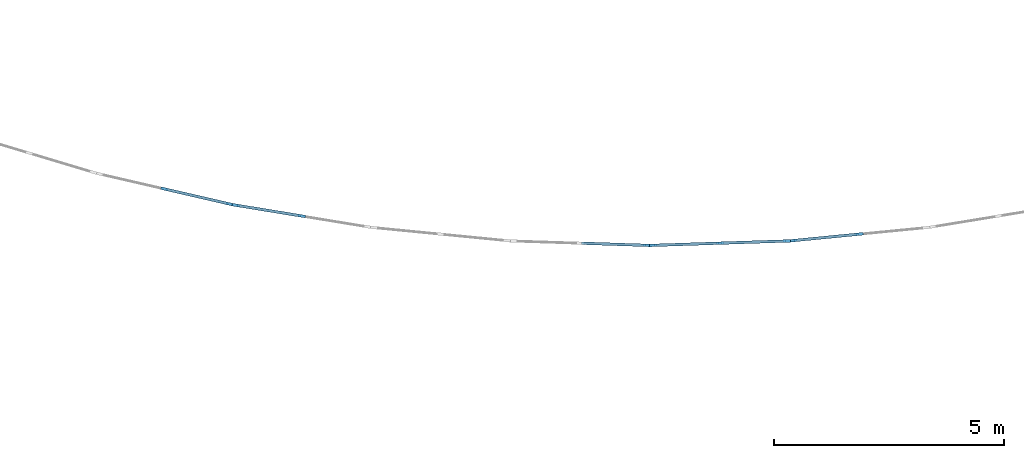
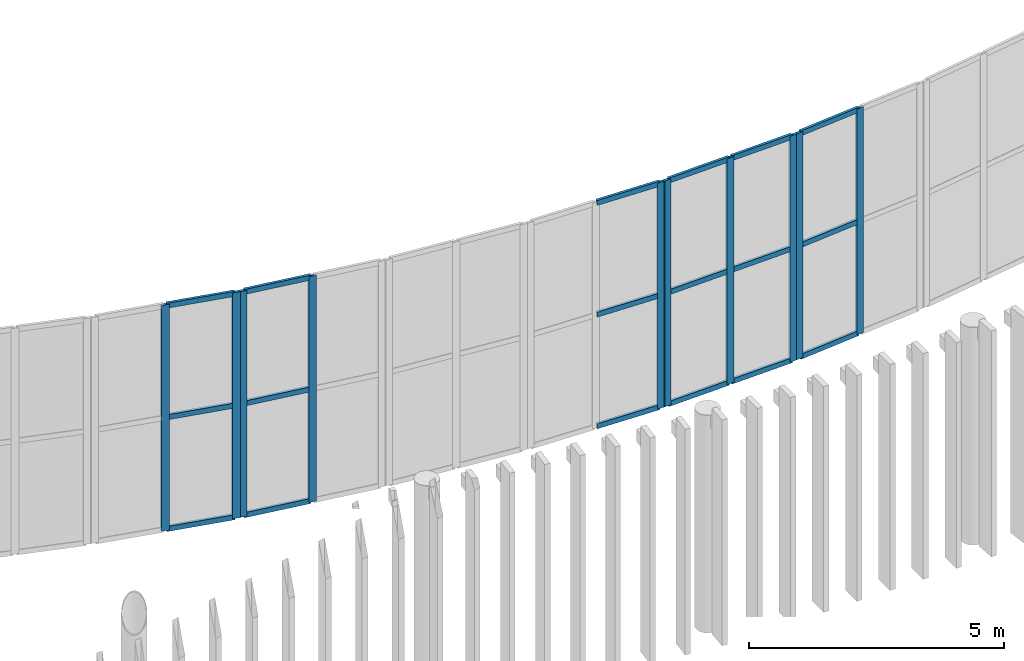
# One storey, part 36 of 170: 28 members, 5 elements without a shape of their own.
"""IFC4 building model written with IfcOpenShell, lengths in metres."""

from ifc_helpers import new_model, si_unit, direction, frame, origin, origin_2d, place, context, subcontext, project, spatial, rectangle, extrude, material, layer, layer_set, material_profile, profile_set, type_object, element, aggregate, save


model = new_model("IFC4")

# Units and contexts
model_context = context("Model", 3, precision=1e-05, world=origin(), true_north=direction((0.0, 1.0)))
body_context = subcontext(model_context, "Body", "Model", "MODEL_VIEW")
ifc_project = project(units=[si_unit("LENGTHUNIT", "METRE"), si_unit("AREAUNIT", "SQUARE_METRE"), si_unit("VOLUMEUNIT", "CUBIC_METRE"), si_unit("PLANEANGLEUNIT", "RADIAN"), si_unit("MASSUNIT", "GRAM", prefix="KILO")], contexts=[model_context])

# Site, building, storey
site_placement = place(None, origin())
site = spatial("IfcSite", under=ifc_project, at=site_placement, CompositionType="ELEMENT")
building_placement = place(site_placement, origin())
building = spatial("IfcBuilding", under=site, at=building_placement, Name="Ravi Spectrum Wholesale Market", CompositionType="ELEMENT")
storey_placement = place(building_placement, frame((0.0, 0.0, 5.39990234375)))
storey = spatial("IfcBuildingStorey", under=building, at=storey_placement, Name="L01", CompositionType="ELEMENT", Elevation=5.39990234375)

# Curtain wall, members
ifc_material_1 = material(Name="Aluminium 6063-T6", Category="aluminium")
ifc_layer = layer(ifc_material_1, 0.14990234375)
ifc_layer_set = layer_set([ifc_layer], Name="Aluminium 6063-T6")
curtain_wall_type = type_object("IfcCurtainWallType", Name="Curtain wall 150", PredefinedType="NOTDEFINED", material=ifc_layer_set)
curtain_wall_1_placement = place(storey_placement, origin())
curtain_wall_1 = element("IfcCurtainWall", 1, at=curtain_wall_1_placement, inside=storey, type_object=curtain_wall_type, Name="H1-CW-L01-037", PredefinedType="NOTDEFINED")
ifc_material_2 = material(Name="Aluminium 6063-T6", Category="aluminium")
ifc_material_profile_1 = material_profile(ifc_material_2, rectangle(XDim=0.06005859375, YDim=0.159912109375, at=origin_2d()))
ifc_profile_set_1 = profile_set([ifc_material_profile_1], Name="Aluminium 6063-T6")
member_type_1 = type_object("IfcMemberType", Name="Mullion 60 x 160", PredefinedType="MULLION", material=ifc_profile_set_1)
member_1_placement = place(storey_placement, frame((59.4267578125, 20.5068359375, 0.0), z_axis=(0.0, 0.0, 1.0), x_axis=(0.225082633827, 0.97433967791, 0.0)))
member_1 = element("IfcMember", 2, at=member_1_placement, type_object=member_type_1, Name="H1-CW-L01-037 mullion 2", PredefinedType="MULLION", context=body_context, shape_type="SweptSolid", body=[
    extrude(rectangle(XDim=0.06005859375, YDim=0.159912109375, at=origin_2d()), origin(), (0.0, 0.0, 1.0), 5.400146484375),
])
member_2_placement = place(storey_placement, frame((60.843505859375, 20.179443359375, 0.0), z_axis=(0.0, 0.0, 1.0), x_axis=(0.225082633827, 0.97433967791, 0.0)))
member_2 = element("IfcMember", 3, at=member_2_placement, type_object=member_type_1, Name="H1-CW-L01-037 mullion 3", PredefinedType="MULLION", context=body_context, shape_type="SweptSolid", body=[
    extrude(rectangle(XDim=0.06005859375, YDim=0.159912109375, at=origin_2d()), origin(), (0.0, 0.0, 1.0), 5.400146484375),
])

curtain_wall_2_placement = place(storey_placement, origin())
curtain_wall_2 = element("IfcCurtainWall", 4, at=curtain_wall_2_placement, inside=storey, type_object=curtain_wall_type, Name="H1-CW-L01-038", PredefinedType="NOTDEFINED")
member_3_placement = place(storey_placement, frame((60.980712890625, 20.152587890625, 0.0), z_axis=(0.0, 0.0, 1.0), x_axis=(0.161452954652, 0.986880409895, 0.0)))
member_3 = element("IfcMember", 5, at=member_3_placement, type_object=member_type_1, Name="H1-CW-L01-038 mullion 1", PredefinedType="MULLION", context=body_context, shape_type="SweptSolid", body=[
    extrude(rectangle(XDim=0.06005859375, YDim=0.159912109375, at=origin_2d()), origin(), (0.0, 0.0, 1.0), 5.400146484375),
])
member_4_placement = place(storey_placement, frame((62.415771484375, 19.917724609375, 0.0), z_axis=(0.0, 0.0, 1.0), x_axis=(0.161452954652, 0.986880409895, 0.0)))
member_4 = element("IfcMember", 6, at=member_4_placement, type_object=member_type_1, Name="H1-CW-L01-038 mullion 2", PredefinedType="MULLION", context=body_context, shape_type="SweptSolid", body=[
    extrude(rectangle(XDim=0.06005859375, YDim=0.159912109375, at=origin_2d()), origin(), (0.0, 0.0, 1.0), 5.400146484375),
])

# Curtain wall, member
curtain_wall_3_placement = place(storey_placement, origin())
curtain_wall_3 = element("IfcCurtainWall", 7, at=curtain_wall_3_placement, inside=storey, type_object=curtain_wall_type, Name="H1-CW-L01-040", PredefinedType="NOTDEFINED")
member_5_placement = place(storey_placement, frame((69.929931640625, 19.279052734375, 0.0), z_axis=(0.0, 0.0, 1.0), x_axis=(0.032426863955, 0.999474110967, 0.0)))
member_5 = element("IfcMember", 8, at=member_5_placement, type_object=member_type_1, Name="H1-CW-L01-040 mullion 3", PredefinedType="MULLION", context=body_context, shape_type="SweptSolid", body=[
    extrude(rectangle(XDim=0.06005859375, YDim=0.159912109375, at=origin_2d()), origin(), (0.0, 0.0, 1.0), 5.400146484375),
])

# Curtain wall, members
curtain_wall_4_placement = place(storey_placement, origin())
curtain_wall_4 = element("IfcCurtainWall", 9, at=curtain_wall_4_placement, inside=storey, type_object=curtain_wall_type, Name="H1-CW-L01-041", PredefinedType="NOTDEFINED")
member_6_placement = place(storey_placement, frame((70.070068359375, 19.279052734375, 0.0), z_axis=(0.0, 0.0, 1.0), x_axis=(-0.032426863955, 0.999474110967, 0.0)))
member_6 = element("IfcMember", 10, at=member_6_placement, type_object=member_type_1, Name="H1-CW-L01-041 mullion 1", PredefinedType="MULLION", context=body_context, shape_type="SweptSolid", body=[
    extrude(rectangle(XDim=0.06005859375, YDim=0.159912109375, at=origin_2d()), origin(), (0.0, 0.0, 1.0), 5.400146484375),
])
member_7_placement = place(storey_placement, frame((71.523193359375, 19.326171875, 0.0), z_axis=(0.0, 0.0, 1.0), x_axis=(-0.032426863955, 0.999474110967, 0.0)))
member_7 = element("IfcMember", 11, at=member_7_placement, type_object=member_type_1, Name="H1-CW-L01-041 mullion 2", PredefinedType="MULLION", context=body_context, shape_type="SweptSolid", body=[
    extrude(rectangle(XDim=0.06005859375, YDim=0.159912109375, at=origin_2d()), origin(), (0.0, 0.0, 1.0), 5.400146484375),
])
member_8_placement = place(storey_placement, frame((72.9765625, 19.373291015625, 0.0), z_axis=(0.0, 0.0, 1.0), x_axis=(-0.032426863955, 0.999474110967, 0.0)))
member_8 = element("IfcMember", 12, at=member_8_placement, type_object=member_type_1, Name="H1-CW-L01-041 mullion 3", PredefinedType="MULLION", context=body_context, shape_type="SweptSolid", body=[
    extrude(rectangle(XDim=0.06005859375, YDim=0.159912109375, at=origin_2d()), origin(), (0.0, 0.0, 1.0), 5.400146484375),
])

curtain_wall_5_placement = place(storey_placement, origin())
curtain_wall_5 = element("IfcCurtainWall", 13, at=curtain_wall_5_placement, inside=storey, type_object=curtain_wall_type, Name="H1-CW-L01-042", PredefinedType="NOTDEFINED")
member_9_placement = place(storey_placement, frame((73.1162109375, 19.38232421875, 0.0), z_axis=(0.0, 0.0, 1.0), x_axis=(-0.097144203758, 0.995270316887, 0.0)))
member_9 = element("IfcMember", 14, at=member_9_placement, type_object=member_type_1, Name="H1-CW-L01-042 mullion 1", PredefinedType="MULLION", context=body_context, shape_type="SweptSolid", body=[
    extrude(rectangle(XDim=0.06005859375, YDim=0.159912109375, at=origin_2d()), origin(), (0.0, 0.0, 1.0), 5.400146484375),
])
member_10_placement = place(storey_placement, frame((74.5634765625, 19.523681640625, 0.0), z_axis=(0.0, 0.0, 1.0), x_axis=(-0.097144203758, 0.995270316887, 0.0)))
member_10 = element("IfcMember", 15, at=member_10_placement, type_object=member_type_1, Name="H1-CW-L01-042 mullion 2", PredefinedType="MULLION", context=body_context, shape_type="SweptSolid", body=[
    extrude(rectangle(XDim=0.06005859375, YDim=0.159912109375, at=origin_2d()), origin(), (0.0, 0.0, 1.0), 5.400146484375),
])

# Member
ifc_material_3 = material(Name="Aluminium 6063-T6", Category="aluminium")
ifc_material_profile_2 = material_profile(ifc_material_3, rectangle(XDim=0.06005859375, YDim=0.1201171875, at=origin_2d()))
ifc_profile_set_2 = profile_set([ifc_material_profile_2], Name="Aluminium 6063-T6")
member_type_2 = type_object("IfcMemberType", Name="Transom 60 x 120", PredefinedType="USERDEFINED", material=ifc_profile_set_2)
member_11_placement = place(storey_placement, frame((59.455810546875, 20.5, 0.030029296875), z_axis=(0.974352813106, -0.225025766506, 0.0), x_axis=(0.225025766506, 0.974352813106, 0.0)))
member_11 = element("IfcMember", 16, at=member_11_placement, type_object=member_type_2, Name="H1-CW-L01-037 transom 2.1", ObjectType="TRANSOM", PredefinedType="USERDEFINED", context=body_context, shape_type="SweptSolid", body=[
    extrude(rectangle(XDim=0.06005859375, YDim=0.1201171875, at=origin_2d()), origin(), (0.0, 0.0, 1.0), 1.39404296875),
])

member_12_placement = place(storey_placement, frame((59.455810546875, 20.5, 2.7001953125), z_axis=(0.974352813106, -0.225025766506, 0.0), x_axis=(0.225025766506, 0.974352813106, 0.0)))
member_12 = element("IfcMember", 17, at=member_12_placement, type_object=member_type_2, Name="H1-CW-L01-037 transom 2.2", ObjectType="TRANSOM", PredefinedType="USERDEFINED", context=body_context, shape_type="SweptSolid", body=[
    extrude(rectangle(XDim=0.06005859375, YDim=0.1201171875, at=origin_2d()), origin(), (0.0, 0.0, 1.0), 1.39404296875),
])

member_13_placement = place(storey_placement, frame((59.455810546875, 20.5, 5.3701171875), z_axis=(0.974352813106, -0.225025766506, 0.0), x_axis=(0.225025766506, 0.974352813106, 0.0)))
member_13 = element("IfcMember", 18, at=member_13_placement, type_object=member_type_2, Name="H1-CW-L01-037 transom 2.3", ObjectType="TRANSOM", PredefinedType="USERDEFINED", context=body_context, shape_type="SweptSolid", body=[
    extrude(rectangle(XDim=0.06005859375, YDim=0.1201171875, at=origin_2d()), origin(), (0.0, 0.0, 1.0), 1.39404296875),
])

aggregate(curtain_wall_1, [member_1, member_2, member_11, member_12, member_13])

member_14_placement = place(storey_placement, frame((61.01025390625, 20.147705078125, 0.030029296875), z_axis=(0.986877120125, -0.161473062068, 0.0), x_axis=(0.161473062068, 0.986877120125, 0.0)))
member_14 = element("IfcMember", 19, at=member_14_placement, type_object=member_type_2, Name="H1-CW-L01-038 transom 1.1", ObjectType="TRANSOM", PredefinedType="USERDEFINED", context=body_context, shape_type="SweptSolid", body=[
    extrude(rectangle(XDim=0.06005859375, YDim=0.1201171875, at=origin_2d()), origin(), (0.0, 0.0, 1.0), 1.39404296875),
])

member_15_placement = place(storey_placement, frame((61.01025390625, 20.147705078125, 2.7001953125), z_axis=(0.986877120125, -0.161473062068, 0.0), x_axis=(0.161473062068, 0.986877120125, 0.0)))
member_15 = element("IfcMember", 20, at=member_15_placement, type_object=member_type_2, Name="H1-CW-L01-038 transom 1.2", ObjectType="TRANSOM", PredefinedType="USERDEFINED", context=body_context, shape_type="SweptSolid", body=[
    extrude(rectangle(XDim=0.06005859375, YDim=0.1201171875, at=origin_2d()), origin(), (0.0, 0.0, 1.0), 1.39404296875),
])

member_16_placement = place(storey_placement, frame((61.01025390625, 20.147705078125, 5.3701171875), z_axis=(0.986877120125, -0.161473062068, 0.0), x_axis=(0.161473062068, 0.986877120125, 0.0)))
member_16 = element("IfcMember", 21, at=member_16_placement, type_object=member_type_2, Name="H1-CW-L01-038 transom 1.3", ObjectType="TRANSOM", PredefinedType="USERDEFINED", context=body_context, shape_type="SweptSolid", body=[
    extrude(rectangle(XDim=0.06005859375, YDim=0.1201171875, at=origin_2d()), origin(), (0.0, 0.0, 1.0), 1.39404296875),
])

aggregate(curtain_wall_2, [member_3, member_4, member_14, member_15, member_16])

member_17_placement = place(storey_placement, frame((68.5068359375, 19.3251953125, 0.030029296875), z_axis=(0.999475004468, -0.032399312393, 0.0), x_axis=(0.032399312393, 0.999475004468, 0.0)))
member_17 = element("IfcMember", 22, at=member_17_placement, type_object=member_type_2, Name="H1-CW-L01-040 transom 2.1", ObjectType="TRANSOM", PredefinedType="USERDEFINED", context=body_context, shape_type="SweptSolid", body=[
    extrude(rectangle(XDim=0.06005859375, YDim=0.1201171875, at=origin_2d()), origin(), (0.0, 0.0, 1.0), 1.39404296875),
])

member_18_placement = place(storey_placement, frame((68.5068359375, 19.3251953125, 2.7001953125), z_axis=(0.999475004468, -0.032399312393, 0.0), x_axis=(0.032399312393, 0.999475004468, 0.0)))
member_18 = element("IfcMember", 23, at=member_18_placement, type_object=member_type_2, Name="H1-CW-L01-040 transom 2.2", ObjectType="TRANSOM", PredefinedType="USERDEFINED", context=body_context, shape_type="SweptSolid", body=[
    extrude(rectangle(XDim=0.06005859375, YDim=0.1201171875, at=origin_2d()), origin(), (0.0, 0.0, 1.0), 1.39404296875),
])

member_19_placement = place(storey_placement, frame((68.5068359375, 19.3251953125, 5.3701171875), z_axis=(0.999475004468, -0.032399312393, 0.0), x_axis=(0.032399312393, 0.999475004468, 0.0)))
member_19 = element("IfcMember", 24, at=member_19_placement, type_object=member_type_2, Name="H1-CW-L01-040 transom 2.3", ObjectType="TRANSOM", PredefinedType="USERDEFINED", context=body_context, shape_type="SweptSolid", body=[
    extrude(rectangle(XDim=0.06005859375, YDim=0.1201171875, at=origin_2d()), origin(), (0.0, 0.0, 1.0), 1.39404296875),
])

aggregate(curtain_wall_3, [member_5, member_17, member_18, member_19])

member_20_placement = place(storey_placement, frame((70.099853515625, 19.280029296875, 0.030029296875), z_axis=(0.999475004468, 0.032399312393, 0.0), x_axis=(-0.032399312393, 0.999475004468, 0.0)))
member_20 = element("IfcMember", 25, at=member_20_placement, type_object=member_type_2, Name="H1-CW-L01-041 transom 1.1", ObjectType="TRANSOM", PredefinedType="USERDEFINED", context=body_context, shape_type="SweptSolid", body=[
    extrude(rectangle(XDim=0.06005859375, YDim=0.1201171875, at=origin_2d()), origin(), (0.0, 0.0, 1.0), 1.39404296875),
])

member_21_placement = place(storey_placement, frame((70.099853515625, 19.280029296875, 2.7001953125), z_axis=(0.999475004468, 0.032399312393, 0.0), x_axis=(-0.032399312393, 0.999475004468, 0.0)))
member_21 = element("IfcMember", 26, at=member_21_placement, type_object=member_type_2, Name="H1-CW-L01-041 transom 1.2", ObjectType="TRANSOM", PredefinedType="USERDEFINED", context=body_context, shape_type="SweptSolid", body=[
    extrude(rectangle(XDim=0.06005859375, YDim=0.1201171875, at=origin_2d()), origin(), (0.0, 0.0, 1.0), 1.39404296875),
])

member_22_placement = place(storey_placement, frame((70.099853515625, 19.280029296875, 5.3701171875), z_axis=(0.999475004468, 0.032399312393, 0.0), x_axis=(-0.032399312393, 0.999475004468, 0.0)))
member_22 = element("IfcMember", 27, at=member_22_placement, type_object=member_type_2, Name="H1-CW-L01-041 transom 1.3", ObjectType="TRANSOM", PredefinedType="USERDEFINED", context=body_context, shape_type="SweptSolid", body=[
    extrude(rectangle(XDim=0.06005859375, YDim=0.1201171875, at=origin_2d()), origin(), (0.0, 0.0, 1.0), 1.39404296875),
])

member_23_placement = place(storey_placement, frame((71.55322265625, 19.3271484375, 0.030029296875), z_axis=(0.999475004468, 0.032399312393, 0.0), x_axis=(-0.032399312393, 0.999475004468, 0.0)))
member_23 = element("IfcMember", 28, at=member_23_placement, type_object=member_type_2, Name="H1-CW-L01-041 transom 2.1", ObjectType="TRANSOM", PredefinedType="USERDEFINED", context=body_context, shape_type="SweptSolid", body=[
    extrude(rectangle(XDim=0.06005859375, YDim=0.1201171875, at=origin_2d()), origin(), (0.0, 0.0, 1.0), 1.39404296875),
])

member_24_placement = place(storey_placement, frame((71.55322265625, 19.3271484375, 2.7001953125), z_axis=(0.999475004468, 0.032399312393, 0.0), x_axis=(-0.032399312393, 0.999475004468, 0.0)))
member_24 = element("IfcMember", 29, at=member_24_placement, type_object=member_type_2, Name="H1-CW-L01-041 transom 2.2", ObjectType="TRANSOM", PredefinedType="USERDEFINED", context=body_context, shape_type="SweptSolid", body=[
    extrude(rectangle(XDim=0.06005859375, YDim=0.1201171875, at=origin_2d()), origin(), (0.0, 0.0, 1.0), 1.39404296875),
])

member_25_placement = place(storey_placement, frame((71.55322265625, 19.3271484375, 5.3701171875), z_axis=(0.999475004468, 0.032399312393, 0.0), x_axis=(-0.032399312393, 0.999475004468, 0.0)))
member_25 = element("IfcMember", 30, at=member_25_placement, type_object=member_type_2, Name="H1-CW-L01-041 transom 2.3", ObjectType="TRANSOM", PredefinedType="USERDEFINED", context=body_context, shape_type="SweptSolid", body=[
    extrude(rectangle(XDim=0.06005859375, YDim=0.1201171875, at=origin_2d()), origin(), (0.0, 0.0, 1.0), 1.39404296875),
])

aggregate(curtain_wall_4, [member_6, member_7, member_8, member_20, member_21, member_22, member_23, member_24, member_25])

member_26_placement = place(storey_placement, frame((73.14599609375, 19.38525390625, 0.030029296875), z_axis=(0.995265134777, 0.09719728133, 0.0), x_axis=(-0.09719728133, 0.995265134777, 0.0)))
member_26 = element("IfcMember", 31, at=member_26_placement, type_object=member_type_2, Name="H1-CW-L01-042 transom 1.1", ObjectType="TRANSOM", PredefinedType="USERDEFINED", context=body_context, shape_type="SweptSolid", body=[
    extrude(rectangle(XDim=0.06005859375, YDim=0.1201171875, at=origin_2d()), origin(), (0.0, 0.0, 1.0), 1.39404296875),
])

member_27_placement = place(storey_placement, frame((73.14599609375, 19.38525390625, 2.7001953125), z_axis=(0.995265134777, 0.09719728133, 0.0), x_axis=(-0.09719728133, 0.995265134777, 0.0)))
member_27 = element("IfcMember", 32, at=member_27_placement, type_object=member_type_2, Name="H1-CW-L01-042 transom 1.2", ObjectType="TRANSOM", PredefinedType="USERDEFINED", context=body_context, shape_type="SweptSolid", body=[
    extrude(rectangle(XDim=0.06005859375, YDim=0.1201171875, at=origin_2d()), origin(), (0.0, 0.0, 1.0), 1.39404296875),
])

member_28_placement = place(storey_placement, frame((73.14599609375, 19.38525390625, 5.3701171875), z_axis=(0.995265134777, 0.09719728133, 0.0), x_axis=(-0.09719728133, 0.995265134777, 0.0)))
member_28 = element("IfcMember", 33, at=member_28_placement, type_object=member_type_2, Name="H1-CW-L01-042 transom 1.3", ObjectType="TRANSOM", PredefinedType="USERDEFINED", context=body_context, shape_type="SweptSolid", body=[
    extrude(rectangle(XDim=0.06005859375, YDim=0.1201171875, at=origin_2d()), origin(), (0.0, 0.0, 1.0), 1.39404296875),
])

aggregate(curtain_wall_5, [member_9, member_10, member_26, member_27, member_28])

save(model, "model.ifc")
